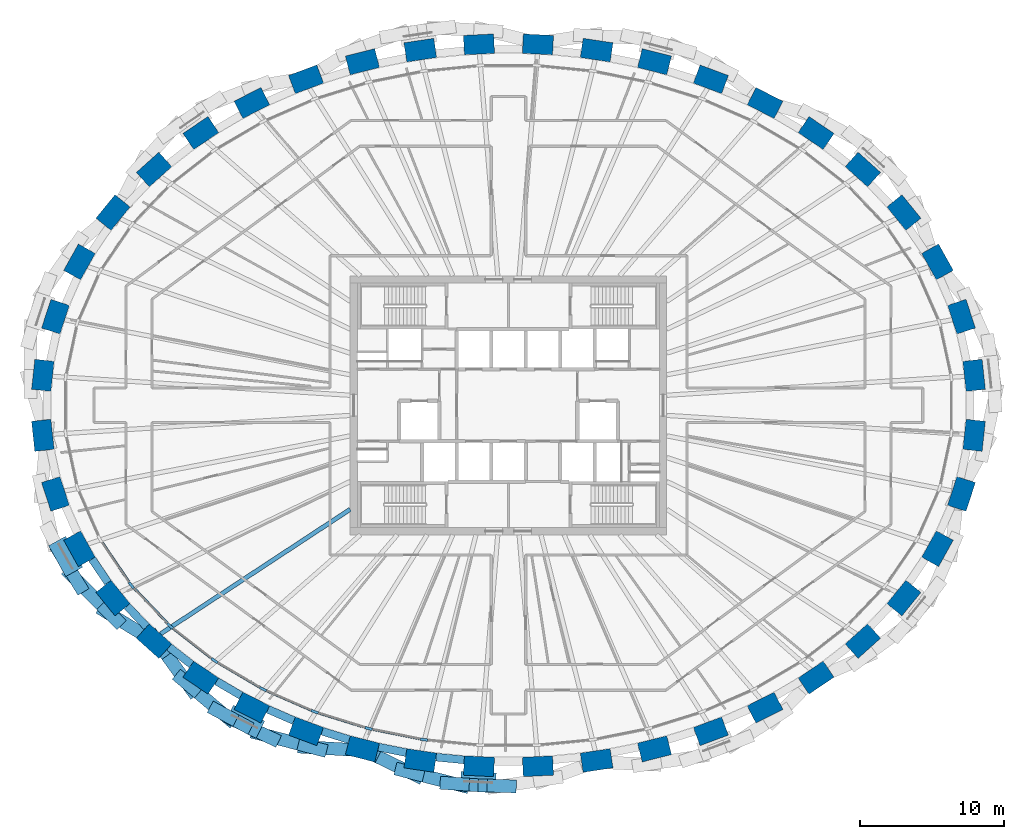
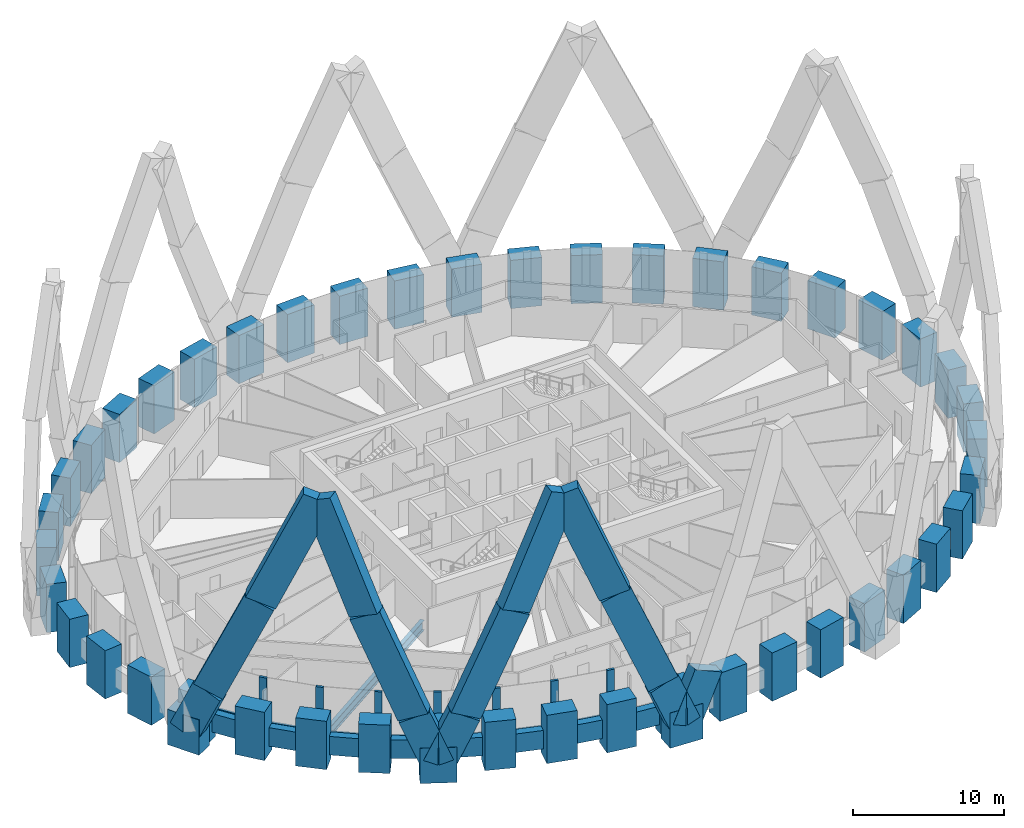
# One storey, part 1 of 15: 44 columns, 30 members, 9 beams, 1 element without a shape of its own.
"""IFC4 building model written with IfcOpenShell, lengths in metres."""

from ifc_helpers import new_model, si_unit, direction, frame, origin, origin_2d, place, context, subcontext, project, spatial, rectangle, i_section, extrude, source, transform, mapped, material, material_profile, profile_set, type_object, element, aggregate, save


model = new_model("IFC4")

# Units and contexts
model_context = context("Model", 3, precision=1e-05, world=origin(), true_north=direction((0.0, 1.0)))
body_context = subcontext(model_context, "Body", "Model", "MODEL_VIEW")
ifc_project = project(units=[si_unit("LENGTHUNIT", "METRE"), si_unit("AREAUNIT", "SQUARE_METRE"), si_unit("VOLUMEUNIT", "CUBIC_METRE"), si_unit("PLANEANGLEUNIT", "RADIAN"), si_unit("MASSUNIT", "GRAM", prefix="KILO")], contexts=[model_context])

# Site, building, storey
site_placement = place(None, origin())
site = spatial("IfcSite", under=ifc_project, at=site_placement, CompositionType="ELEMENT")
building_placement = place(site_placement, origin())
building = spatial("IfcBuilding", under=site, at=building_placement, Name="Embergate Tower", CompositionType="ELEMENT")
storey_placement = place(building_placement, frame((0.0, 0.0, 277.300048828125)))
storey = spatial("IfcBuildingStorey", under=building, at=storey_placement, Name="L64", CompositionType="ELEMENT", Elevation=277.300048828125)

# Columns
ifc_material_1 = material(Name="Concrete C60", Category="concrete")
ifc_material_profile_1 = material_profile(ifc_material_1, rectangle(XDim=1.35009765625, YDim=2.10009765625, at=origin_2d()), Name="RC 1350x2100")
ifc_profile_set_1 = profile_set([ifc_material_profile_1], Name="Concrete C60")
column_type = type_object("IfcColumnType", Name="Ring column RC 1350x2100 C60", PredefinedType="COLUMN", material=ifc_profile_set_1)
shared_shape_1 = source(origin(), body_context, "Body", "SweptSolid", [
    extrude(rectangle(XDim=1.35009765625, YDim=2.10009765625, at=origin_2d()), origin(), (0.0, 0.0, 1.0), 3.900146484375),
])
for number, where, z_axis, x_axis, name in (
    (1, (32.360107421875, 2.0849609375, -1.400146484375), (0.0, 0.0, 1.0), (0.99428589498, 0.106749983816, 0.0), "COL-L64-00"),
    (2, (31.48388671875, 6.158935546875, -1.400146484375), (0.0, 0.0, 1.0), (0.950754033697, 0.309946394413, 0.0), "COL-L64-01"),
    (3, (29.81396484375, 9.966064453125, -1.400146484375), (0.0, 0.0, 1.0), (0.873491969053, 0.486838556403, 0.0), "COL-L64-02"),
    (4, (27.48291015625, 13.39501953125, -1.400146484375), (0.0, 0.0, 1.0), (0.775914301615, 0.630838328377, 0.0), "COL-L64-03"),
    (5, (24.6298828125, 16.386962890625, -1.400146484375), (0.0, 0.0, 1.0), (0.669208424634, 0.74307475021, 0.0), "COL-L64-04"),
    (6, (21.37890625, 18.924072265625, -1.400146484375), (0.0, 0.0, 1.0), (0.560393279442, 0.828226643109, 0.0), "COL-L64-05"),
    (7, (17.8310546875, 21.010009765625, -1.400146484375), (0.0, 0.0, 1.0), (0.452994952881, 0.891513080478, 0.0), "COL-L64-06"),
    (8, (14.06689453125, 22.656005859375, -1.400146484375), (0.0, 0.0, 1.0), (0.348343015724, 0.93736713373, 0.0), "COL-L64-07"),
    (9, (10.14892578125, 23.876953125, -1.400146484375), (0.0, 0.0, 1.0), (0.246491603437, 0.969144926951, 0.0), "COL-L64-08"),
    (10, (6.1279296875, 24.68310546875, -1.400146484375), (0.0, 0.0, 1.0), (0.146929011949, 0.989147039346, 0.0), "COL-L64-09"),
    (11, (2.049072265625, 25.083984375, -1.400146484375), (0.0, 0.0, 1.0), (0.048814904854, 0.998807841912, 0.0), "COL-L64-10"),
    (12, (-2.049072265625, 25.083984375, -1.400146484375), (0.0, 0.0, 1.0), (-0.048814904854, 0.998807841912, 0.0), "COL-L64-11"),
    (13, (-6.1279296875, 24.68310546875, -1.400146484375), (0.0, 0.0, 1.0), (-0.146929011949, 0.989147039346, 0.0), "COL-L64-12"),
    (14, (-10.14892578125, 23.876953125, -1.400146484375), (0.0, 0.0, 1.0), (-0.246491603437, 0.969144926951, 0.0), "COL-L64-13"),
    (15, (-14.06689453125, 22.656005859375, -1.400146484375), (0.0, 0.0, 1.0), (-0.348343015724, 0.93736713373, 0.0), "COL-L64-14"),
    (16, (-17.8310546875, 21.010009765625, -1.400146484375), (0.0, 0.0, 1.0), (-0.452994952881, 0.891513080478, 0.0), "COL-L64-15"),
    (17, (-21.37890625, 18.924072265625, -1.400146484375), (0.0, 0.0, 1.0), (-0.560393279442, 0.828226643109, 0.0), "COL-L64-16"),
    (18, (-24.6298828125, 16.386962890625, -1.400146484375), (0.0, 0.0, 1.0), (-0.669208424634, 0.74307475021, 0.0), "COL-L64-17"),
    (19, (-27.48291015625, 13.39501953125, -1.400146484375), (0.0, 0.0, 1.0), (-0.775914301615, 0.630838328377, 0.0), "COL-L64-18"),
    (20, (-29.81396484375, 9.966064453125, -1.400146484375), (0.0, 0.0, 1.0), (-0.873491969053, 0.486838556403, 0.0), "COL-L64-19"),
    (21, (-31.48388671875, 6.158935546875, -1.400146484375), (0.0, 0.0, 1.0), (-0.950754033697, 0.309946394413, 0.0), "COL-L64-20"),
    (22, (-32.360107421875, 2.0849609375, -1.400146484375), (0.0, 0.0, 1.0), (-0.99428589498, 0.106749983816, 0.0), "COL-L64-21"),
    (23, (-32.360107421875, -2.0849609375, -1.400146484375), (0.0, 0.0, 1.0), (-0.99428589498, -0.106749983816, 0.0), "COL-L64-22"),
    (24, (-31.48388671875, -6.158935546875, -1.400146484375), (0.0, 0.0, 1.0), (-0.950754033697, -0.309946394413, 0.0), "COL-L64-23"),
    (25, (-29.81396484375, -9.966064453125, -1.400146484375), (0.0, 0.0, 1.0), (-0.873491969053, -0.486838556403, 0.0), "COL-L64-24"),
    (26, (-27.48291015625, -13.39501953125, -1.400146484375), (0.0, 0.0, 1.0), (-0.775914301615, -0.630838328377, 0.0), "COL-L64-25"),
    (27, (-24.6298828125, -16.386962890625, -1.400146484375), (0.0, 0.0, 1.0), (-0.669208424634, -0.74307475021, 0.0), "COL-L64-26"),
    (28, (-21.37890625, -18.924072265625, -1.400146484375), (0.0, 0.0, 1.0), (-0.560393279442, -0.828226643109, 0.0), "COL-L64-27"),
    (29, (-17.8310546875, -21.010009765625, -1.400146484375), (0.0, 0.0, 1.0), (-0.452994952881, -0.891513080478, 0.0), "COL-L64-28"),
    (30, (-14.06689453125, -22.656005859375, -1.400146484375), (0.0, 0.0, 1.0), (-0.348343015724, -0.93736713373, 0.0), "COL-L64-29"),
    (31, (-10.14892578125, -23.876953125, -1.400146484375), (0.0, 0.0, 1.0), (-0.246491603437, -0.969144926951, 0.0), "COL-L64-30"),
    (32, (-6.1279296875, -24.68310546875, -1.400146484375), (0.0, 0.0, 1.0), (-0.146929011949, -0.989147039346, 0.0), "COL-L64-31"),
    (33, (-2.049072265625, -25.083984375, -1.400146484375), (0.0, 0.0, 1.0), (-0.048814904854, -0.998807841912, 0.0), "COL-L64-32"),
    (34, (2.049072265625, -25.083984375, -1.400146484375), (0.0, 0.0, 1.0), (0.048814904854, -0.998807841912, 0.0), "COL-L64-33"),
    (35, (6.1279296875, -24.68310546875, -1.400146484375), (0.0, 0.0, 1.0), (0.146929011949, -0.989147039346, 0.0), "COL-L64-34"),
    (36, (10.14892578125, -23.876953125, -1.400146484375), (0.0, 0.0, 1.0), (0.246491603437, -0.969144926951, 0.0), "COL-L64-35"),
    (37, (14.06689453125, -22.656005859375, -1.400146484375), (0.0, 0.0, 1.0), (0.348343015724, -0.93736713373, 0.0), "COL-L64-36"),
    (38, (17.8310546875, -21.010009765625, -1.400146484375), (0.0, 0.0, 1.0), (0.452994952881, -0.891513080478, 0.0), "COL-L64-37"),
    (39, (21.37890625, -18.924072265625, -1.400146484375), (0.0, 0.0, 1.0), (0.560393279442, -0.828226643109, 0.0), "COL-L64-38"),
    (40, (24.6298828125, -16.386962890625, -1.400146484375), (0.0, 0.0, 1.0), (0.669208424634, -0.74307475021, 0.0), "COL-L64-39"),
    (41, (27.48291015625, -13.39501953125, -1.400146484375), (0.0, 0.0, 1.0), (0.775914301615, -0.630838328377, 0.0), "COL-L64-40"),
    (42, (29.81396484375, -9.966064453125, -1.400146484375), (0.0, 0.0, 1.0), (0.873491969053, -0.486838556403, 0.0), "COL-L64-41"),
    (43, (31.48388671875, -6.158935546875, -1.400146484375), (0.0, 0.0, 1.0), (0.950754033697, -0.309946394413, 0.0), "COL-L64-42"),
    (44, (32.360107421875, -2.0849609375, -1.400146484375), (0.0, 0.0, 1.0), (0.99428589498, -0.106749983816, 0.0), "COL-L64-43"),
):
    element("IfcColumn", number, at=place(storey_placement, frame(where, z_axis=z_axis, x_axis=x_axis)), inside=storey, type_object=column_type, Name=name, PredefinedType="COLUMN", context=body_context, shape_type="MappedRepresentation", body=[
        mapped(shared_shape_1, transform((0.0, 0.0, 0.0))),
    ])

# Beams
ifc_material_profile_2 = material_profile(ifc_material_1, rectangle(XDim=0.550048828125, YDim=1.5, at=origin_2d()), Name="RC 550x1500")
ifc_profile_set_2 = profile_set([ifc_material_profile_2], Name="Concrete C60")
beam_type_1 = type_object("IfcBeamType", Name="Spandrel beam RC 550x1500 C60", PredefinedType="BEAM", material=ifc_profile_set_2)
shared_shape_2 = source(origin(), body_context, "Body", "SweptSolid", [
    extrude(rectangle(XDim=0.550048828125, YDim=1.5, at=origin_2d()), origin(), (0.0, 0.0, 1.0), 1.982421875),
])
beam_1_placement = place(storey_placement, frame((-28.943115234375, -10.68310546875, 0.0), z_axis=(0.56257611142, -0.82674549824, 0.0), x_axis=(0.82674549824, 0.56257611142, 0.0)))
element("IfcBeam", 45, at=beam_1_placement, inside=storey, type_object=beam_type_1, Name="SPN-L64-24", PredefinedType="BEAM", context=body_context, shape_type="MappedRepresentation", body=[
    mapped(shared_shape_2, transform((0.0, 0.0, 0.0))),
])
shared_shape_3 = source(origin(), body_context, "Body", "SweptSolid", [
    extrude(rectangle(XDim=0.550048828125, YDim=1.5, at=origin_2d()), origin(), (0.0, 0.0, 1.0), 1.97900390625),
])
beam_2_placement = place(storey_placement, frame((-26.509033203125, -13.9560546875, 0.0), z_axis=(0.690255649164, -0.723565573253, 0.0), x_axis=(0.723565573253, 0.690255649164, 0.0)))
element("IfcBeam", 46, at=beam_2_placement, inside=storey, type_object=beam_type_1, Name="SPN-L64-25", PredefinedType="BEAM", context=body_context, shape_type="MappedRepresentation", body=[
    mapped(shared_shape_3, transform((0.0, 0.0, 0.0))),
])
shared_shape_4 = source(origin(), body_context, "Body", "SweptSolid", [
    extrude(rectangle(XDim=0.550048828125, YDim=1.5, at=origin_2d()), origin(), (0.0, 0.0, 1.0), 1.974853515625),
])
beam_3_placement = place(storey_placement, frame((-23.5869140625, -16.797119140625, 0.0), z_axis=(0.788385979859, -0.61518090572, 0.0), x_axis=(0.61518090572, 0.788385979859, 0.0)))
element("IfcBeam", 47, at=beam_3_placement, inside=storey, type_object=beam_type_1, Name="SPN-L64-26", PredefinedType="BEAM", context=body_context, shape_type="MappedRepresentation", body=[
    mapped(shared_shape_4, transform((0.0, 0.0, 0.0))),
])
shared_shape_5 = source(origin(), body_context, "Body", "SweptSolid", [
    extrude(rectangle(XDim=0.550048828125, YDim=1.5, at=origin_2d()), origin(), (0.0, 0.0, 1.0), 1.969482421875),
])
beam_4_placement = place(storey_placement, frame((-20.281982421875, -19.176025390625, 0.0), z_axis=(0.862106236571, -0.506727576578, 0.0), x_axis=(0.506727576578, 0.862106236571, 0.0)))
element("IfcBeam", 48, at=beam_4_placement, inside=storey, type_object=beam_type_1, Name="SPN-L64-27", PredefinedType="BEAM", context=body_context, shape_type="MappedRepresentation", body=[
    mapped(shared_shape_5, transform((0.0, 0.0, 0.0))),
])
shared_shape_6 = source(origin(), body_context, "Body", "SweptSolid", [
    extrude(rectangle(XDim=0.550048828125, YDim=1.5, at=origin_2d()), origin(), (0.0, 0.0, 1.0), 1.96630859375),
])
beam_5_placement = place(storey_placement, frame((-16.714111328125, -21.12890625, 0.0), z_axis=(0.916393681964, -0.400278177842, 0.0), x_axis=(0.400278177842, 0.916393681964, 0.0)))
element("IfcBeam", 49, at=beam_5_placement, inside=storey, type_object=beam_type_1, Name="SPN-L64-28", PredefinedType="BEAM", context=body_context, shape_type="MappedRepresentation", body=[
    mapped(shared_shape_6, transform((0.0, 0.0, 0.0))),
])
shared_shape_7 = source(origin(), body_context, "Body", "SweptSolid", [
    extrude(rectangle(XDim=0.550048828125, YDim=1.5, at=origin_2d()), origin(), (0.0, 0.0, 1.0), 1.96484375),
])
beam_6_placement = place(storey_placement, frame((-12.945068359375, -22.65087890625, 0.0), z_axis=(0.954771364399, -0.297340951979, 0.0), x_axis=(0.297340951979, 0.954771364399, 0.0)))
element("IfcBeam", 50, at=beam_6_placement, inside=storey, type_object=beam_type_1, Name="SPN-L64-29", PredefinedType="BEAM", context=body_context, shape_type="MappedRepresentation", body=[
    mapped(shared_shape_7, transform((0.0, 0.0, 0.0))),
])
shared_shape_8 = source(origin(), body_context, "Body", "SweptSolid", [
    extrude(rectangle(XDim=0.550048828125, YDim=1.5, at=origin_2d()), origin(), (0.0, 0.0, 1.0), 1.963134765625),
])
beam_7_placement = place(storey_placement, frame((-9.033935546875, -23.7548828125, 0.0), z_axis=(0.980580675691, -0.196116135138, 0.0), x_axis=(0.196116135138, 0.980580675691, 0.0)))
element("IfcBeam", 51, at=beam_7_placement, inside=storey, type_object=beam_type_1, Name="SPN-L64-30", PredefinedType="BEAM", context=body_context, shape_type="MappedRepresentation", body=[
    mapped(shared_shape_8, transform((0.0, 0.0, 0.0))),
])
shared_shape_9 = source(origin(), body_context, "Body", "SweptSolid", [
    extrude(rectangle(XDim=0.550048828125, YDim=1.5, at=origin_2d()), origin(), (0.0, 0.0, 1.0), 1.96240234375),
])
beam_8_placement = place(storey_placement, frame((-5.031982421875, -24.449951171875, 0.0), z_axis=(0.99519482752, -0.097914530474, 0.0), x_axis=(0.097914530474, 0.99519482752, 0.0)))
element("IfcBeam", 52, at=beam_8_placement, inside=storey, type_object=beam_type_1, Name="SPN-L64-31", PredefinedType="BEAM", context=body_context, shape_type="MappedRepresentation", body=[
    mapped(shared_shape_9, transform((0.0, 0.0, 0.0))),
])
ifc_material_2 = material(Name="Steel Q355B", Category="steel")
ifc_material_profile_3 = material_profile(ifc_material_2, i_section(OverallWidth=0.300048828125, OverallDepth=0.800048828125, WebThickness=0.013916015625, FlangeThickness=0.02587890625, FilletRadius=0.028076171875, at=origin_2d()), Name="HN 800x300x14x26")
ifc_profile_set_3 = profile_set([ifc_material_profile_3], Name="Steel Q355 grade B")
beam_type_2 = type_object("IfcBeamType", Name="Radial girder HN 800x300x14x26", PredefinedType="BEAM", material=ifc_profile_set_3)
shared_shape_10 = source(origin(), body_context, "Body", "SweptSolid", [
    extrude(i_section(OverallWidth=0.300048828125, OverallDepth=0.800048828125, WebThickness=0.013916015625, FlangeThickness=0.02587890625, FilletRadius=0.028076171875, at=origin_2d()), origin(), (0.0, 0.0, 1.0), 15.767578125),
])
beam_9_placement = place(storey_placement, frame((-24.177978515625, -15.885009765625, -0.60009765625), z_axis=(0.835759482959, 0.549095698986, 0.0), x_axis=(-0.549095698986, 0.835759482959, 0.0)))
element("IfcBeam", 53, at=beam_9_placement, inside=storey, type_object=beam_type_2, Name="GIR-L64-26", PredefinedType="BEAM", context=body_context, shape_type="MappedRepresentation", body=[
    mapped(shared_shape_10, transform((0.0, 0.0, 0.0))),
])

# Members
ifc_material_3 = material(Name="Concrete C70", Category="concrete")
ifc_material_profile_4 = material_profile(ifc_material_3, rectangle(XDim=1.35009765625, YDim=2.449951171875, at=origin_2d()), Name="RC 1350x2450")
ifc_profile_set_4 = profile_set([ifc_material_profile_4], Name="Concrete C70")
member_type_1 = type_object("IfcMemberType", Name="Lattice node block RC 1350x2450", PredefinedType="POST", material=ifc_profile_set_4)
shared_shape_11 = source(origin(), body_context, "Body", "SweptSolid", [
    extrude(rectangle(XDim=1.35009765625, YDim=2.449951171875, at=origin_2d()), origin(), (0.0, 0.0, 1.0), 2.85009765625),
])
for number, where, z_axis, x_axis, name in (
    (54, (-30.77490234375, -10.501953125, -1.425048828125), (0.0, 0.0, 1.0), (-0.873491969053, -0.486838556403, 0.0), "NOD-L64-24"),
    (55, (-18.330078125, -21.990966796875, -1.425048828125), (0.0, 0.0, 1.0), (-0.452994952881, -0.891513080478, 0.0), "NOD-L64-28"),
    (56, (-2.10302734375, -26.18310546875, -1.425048828125), (0.0, 0.0, 1.0), (-0.048814904854, -0.998807841912, 0.0), "NOD-L64-32"),
):
    element("IfcMember", number, at=place(storey_placement, frame(where, z_axis=z_axis, x_axis=x_axis)), inside=storey, type_object=member_type_1, Name=name, PredefinedType="POST", context=body_context, shape_type="MappedRepresentation", body=[
        mapped(shared_shape_11, transform((0.0, 0.0, 0.0))),
    ])
ifc_material_profile_5 = material_profile(ifc_material_3, rectangle(XDim=0.89990234375, YDim=2.199951171875, at=origin_2d()), Name="RC 900x2200")
ifc_profile_set_5 = profile_set([ifc_material_profile_5], Name="Concrete C70")
member_type_2 = type_object("IfcMemberType", Name="Lattice diagonal terracotta-faced RC 900x2200", PredefinedType="BRACE", material=ifc_profile_set_5)
shared_shape_12 = source(origin(), body_context, "Body", "SweptSolid", [
    extrude(rectangle(XDim=0.89990234375, YDim=2.199951171875, at=origin_2d()), origin(), (0.0, 0.0, 1.0), 4.277587890625),
])
member_1_placement = place(storey_placement, frame((-30.970947265625, -10.611083984375, 0.0), z_axis=(0.213397426039, -0.351115529552, 0.911690420849), x_axis=(0.854549744846, 0.519369553963, 0.0)))
element("IfcMember", 57, at=member_1_placement, inside=storey, type_object=member_type_2, Name="BRC-L64-24-26-S00", PredefinedType="BRACE", context=body_context, shape_type="MappedRepresentation", body=[
    mapped(shared_shape_12, transform((0.0, 0.0, 0.0))),
])
shared_shape_13 = source(origin(), body_context, "Body", "SweptSolid", [
    extrude(rectangle(XDim=0.89990234375, YDim=2.199951171875, at=origin_2d()), origin(), (0.0, 0.0, 1.0), 8.5439453125),
])
member_2_placement = place(storey_placement, frame((-30.05810546875, -12.113037109375, 3.89990234375), z_axis=(0.288635578825, -0.288492704071, 0.912941105622), x_axis=(0.706931707095, 0.707281811942, 0.0)))
element("IfcMember", 58, at=member_2_placement, inside=storey, type_object=member_type_2, Name="BRC-L64-24-26-S01", PredefinedType="BRACE", context=body_context, shape_type="MappedRepresentation", body=[
    mapped(shared_shape_13, transform((0.0, 0.0, 0.0))),
])
shared_shape_14 = source(origin(), body_context, "Body", "SweptSolid", [
    extrude(rectangle(XDim=0.89990234375, YDim=2.199951171875, at=origin_2d()), origin(), (0.0, 0.0, 1.0), 9.232666015625),
])
member_3_placement = place(storey_placement, frame((-27.592041015625, -14.577880859375, 11.699951171875), z_axis=(0.354602950288, -0.215670519205, 0.909803811155), x_axis=(0.519639686879, 0.854385507731, 0.0)))
element("IfcMember", 59, at=member_3_placement, inside=storey, type_object=member_type_2, Name="BRC-L64-24-26-S02", PredefinedType="BRACE", context=body_context, shape_type="MappedRepresentation", body=[
    mapped(shared_shape_14, transform((0.0, 0.0, 0.0))),
])
shared_shape_15 = source(origin(), body_context, "Body", "SweptSolid", [
    extrude(rectangle(XDim=0.89990234375, YDim=2.199951171875, at=origin_2d()), origin(), (0.0, 0.0, 1.0), 4.212890625),
])
member_4_placement = place(storey_placement, frame((-18.431884765625, -22.19091796875, 0.0), z_axis=(-0.333036664376, 0.179412130313, 0.925687780884), x_axis=(-0.474273381263, -0.880377623424, 0.0)))
element("IfcMember", 60, at=member_4_placement, inside=storey, type_object=member_type_2, Name="BRC-L64-28-26-S00", PredefinedType="BRACE", context=body_context, shape_type="MappedRepresentation", body=[
    mapped(shared_shape_15, transform((0.0, 0.0, 0.0))),
])
shared_shape_16 = source(origin(), body_context, "Body", "SweptSolid", [
    extrude(rectangle(XDim=0.89990234375, YDim=2.199951171875, at=origin_2d()), origin(), (0.0, 0.0, 1.0), 8.44580078125),
])
member_5_placement = place(storey_placement, frame((-19.8349609375, -21.43505859375, 3.89990234375), z_axis=(-0.293057204506, 0.247355543397, 0.923543561527), x_axis=(-0.645005774596, -0.764177695787, 0.0)))
element("IfcMember", 61, at=member_5_placement, inside=storey, type_object=member_type_2, Name="BRC-L64-28-26-S01", PredefinedType="BRACE", context=body_context, shape_type="MappedRepresentation", body=[
    mapped(shared_shape_16, transform((0.0, 0.0, 0.0))),
])
shared_shape_17 = source(origin(), body_context, "Body", "SweptSolid", [
    extrude(rectangle(XDim=0.89990234375, YDim=2.199951171875, at=origin_2d()), origin(), (0.0, 0.0, 1.0), 9.072021484375),
])
member_6_placement = place(storey_placement, frame((-22.31005859375, -19.345947265625, 11.699951171875), z_axis=(-0.22134610278, 0.306090039273, 0.925912949819), x_axis=(-0.810325897102, -0.585979471045, 0.0)))
element("IfcMember", 62, at=member_6_placement, inside=storey, type_object=member_type_2, Name="BRC-L64-28-26-S02", PredefinedType="BRACE", context=body_context, shape_type="MappedRepresentation", body=[
    mapped(shared_shape_17, transform((0.0, 0.0, 0.0))),
])
shared_shape_18 = source(origin(), body_context, "Body", "SweptSolid", [
    extrude(rectangle(XDim=0.89990234375, YDim=2.199951171875, at=origin_2d()), origin(), (0.0, 0.0, 1.0), 4.263671875),
])
member_7_placement = place(storey_placement, frame((-18.431884765625, -22.19091796875, 0.0), z_axis=(0.364688612687, -0.174299283564, 0.914670419072), x_axis=(0.431219887373, 0.902246866846, 0.0)))
element("IfcMember", 63, at=member_7_placement, inside=storey, type_object=member_type_2, Name="BRC-L64-28-30-S00", PredefinedType="BRACE", context=body_context, shape_type="MappedRepresentation", body=[
    mapped(shared_shape_18, transform((0.0, 0.0, 0.0))),
])
shared_shape_19 = source(origin(), body_context, "Body", "SweptSolid", [
    extrude(rectangle(XDim=0.89990234375, YDim=2.199951171875, at=origin_2d()), origin(), (0.0, 0.0, 1.0), 8.494384765625),
])
member_8_placement = place(storey_placement, frame((-16.876953125, -22.93408203125, 3.89990234375), z_axis=(0.383293405649, -0.099473491073, 0.918254425396), x_axis=(0.251201443184, 0.967934829905, 0.0)))
element("IfcMember", 64, at=member_8_placement, inside=storey, type_object=member_type_2, Name="BRC-L64-28-30-S01", PredefinedType="BRACE", context=body_context, shape_type="MappedRepresentation", body=[
    mapped(shared_shape_19, transform((0.0, 0.0, 0.0))),
])
shared_shape_20 = source(origin(), body_context, "Body", "SweptSolid", [
    extrude(rectangle(XDim=0.89990234375, YDim=2.199951171875, at=origin_2d()), origin(), (0.0, 0.0, 1.0), 9.15673828125),
])
member_9_placement = place(storey_placement, frame((-13.62109375, -23.779052734375, 11.699951171875), z_axis=(0.397424654113, -0.023462612077, 0.917334808092), x_axis=(0.058934016816, 0.998261880301, 0.0)))
element("IfcMember", 65, at=member_9_placement, inside=storey, type_object=member_type_2, Name="BRC-L64-28-30-S02", PredefinedType="BRACE", context=body_context, shape_type="MappedRepresentation", body=[
    mapped(shared_shape_20, transform((0.0, 0.0, 0.0))),
])
shared_shape_21 = source(origin(), body_context, "Body", "SweptSolid", [
    extrude(rectangle(XDim=0.89990234375, YDim=2.199951171875, at=origin_2d()), origin(), (0.0, 0.0, 1.0), 4.226318359375),
])
member_10_placement = place(storey_placement, frame((-2.114013671875, -26.406982421875, 0.0), z_axis=(-0.384493617047, 0.025994911008, 0.922761574326), x_axis=(-0.067454186846, -0.997722372545, 0.0)))
element("IfcMember", 66, at=member_10_placement, inside=storey, type_object=member_type_2, Name="BRC-L64-32-30-S00", PredefinedType="BRACE", context=body_context, shape_type="MappedRepresentation", body=[
    mapped(shared_shape_21, transform((0.0, 0.0, 0.0))),
])
shared_shape_22 = source(origin(), body_context, "Body", "SweptSolid", [
    extrude(rectangle(XDim=0.89990234375, YDim=2.199951171875, at=origin_2d()), origin(), (0.0, 0.0, 1.0), 8.446044921875),
])
member_11_placement = place(storey_placement, frame((-3.739013671875, -26.297119140625, 3.89990234375), z_axis=(-0.371640467527, 0.094955194511, 0.923507917634), x_axis=(-0.247550322575, -0.968875037243, 0.0)))
element("IfcMember", 67, at=member_11_placement, inside=storey, type_object=member_type_2, Name="BRC-L64-32-30-S01", PredefinedType="BRACE", context=body_context, shape_type="MappedRepresentation", body=[
    mapped(shared_shape_22, transform((0.0, 0.0, 0.0))),
])
shared_shape_23 = source(origin(), body_context, "Body", "SweptSolid", [
    extrude(rectangle(XDim=0.89990234375, YDim=2.199951171875, at=origin_2d()), origin(), (0.0, 0.0, 1.0), 9.080078125),
])
member_12_placement = place(storey_placement, frame((-6.8779296875, -25.4951171875, 11.699951171875), z_axis=(-0.34184969011, 0.165332212088, 0.92509677819), x_axis=(-0.435392500021, -0.90024072943, 0.0)))
element("IfcMember", 68, at=member_12_placement, inside=storey, type_object=member_type_2, Name="BRC-L64-32-30-S02", PredefinedType="BRACE", context=body_context, shape_type="MappedRepresentation", body=[
    mapped(shared_shape_23, transform((0.0, 0.0, 0.0))),
])
shared_shape_24 = source(origin(), body_context, "Body", "SweptSolid", [
    extrude(rectangle(XDim=0.89990234375, YDim=2.199951171875, at=origin_2d()), origin(), (0.0, 0.0, 1.0), 4.2333984375),
])
member_13_placement = place(storey_placement, frame((-2.114013671875, -26.406982421875, 0.0), z_axis=(0.388819727875, -0.011591926031, 0.921240927481), x_axis=(0.029799871392, 0.999555885214, 0.0)))
element("IfcMember", 69, at=member_13_placement, inside=storey, type_object=member_type_2, Name="BRC-L64-32-34-S00", PredefinedType="BRACE", context=body_context, shape_type="MappedRepresentation", body=[
    mapped(shared_shape_24, transform((0.0, 0.0, 0.0))),
])

# Curtain wall, members
ifc_material_4 = material(Name="Aluminium and glass", Category="aluminium")
curtain_wall_type = type_object("IfcCurtainWallType", Name="Recessed office glazing", PredefinedType="NOTDEFINED", material=ifc_material_4)
curtain_wall_placement = place(storey_placement, origin())
curtain_wall = element("IfcCurtainWall", 70, at=curtain_wall_placement, inside=storey, type_object=curtain_wall_type, Name="Recessed office glazing ring", ObjectType="RECESSED OFFICE GLAZING", PredefinedType="USERDEFINED")
ifc_material_5 = material(Name="Aluminium, thermally broken", Category="aluminium")
ifc_material_profile_6 = material_profile(ifc_material_5, rectangle(XDim=0.179931640625, YDim=0.52001953125, at=origin_2d()), Name="AL 520x180")
ifc_profile_set_6 = profile_set([ifc_material_profile_6], Name="Aluminium, thermally broken")
member_type_3 = type_object("IfcMemberType", Name="Office mullion", PredefinedType="MULLION", material=ifc_profile_set_6)
shared_shape_25 = source(origin(), body_context, "Body", "SweptSolid", [
    extrude(rectangle(XDim=0.179931640625, YDim=0.52001953125, at=origin_2d()), origin(), (0.0, 0.0, 1.0), 3.699951171875),
])
member_14_placement = place(storey_placement, frame((-26.212158203125, -12.509521484375, 0.0), z_axis=(0.0, 0.0, 1.0), x_axis=(0.777861596203, 0.628435626897, 0.0)))
member_14 = element("IfcMember", 71, at=member_14_placement, type_object=member_type_3, Name="CW mullion 26", PredefinedType="MULLION", context=body_context, shape_type="MappedRepresentation", body=[
    mapped(shared_shape_25, transform((0.0, 0.0, 0.0))),
])
member_15_placement = place(storey_placement, frame((-23.5185546875, -15.333740234375, 0.0), z_axis=(0.0, 0.0, 1.0), x_axis=(0.671216184057, 0.741261650337, 0.0)))
member_15 = element("IfcMember", 72, at=member_15_placement, type_object=member_type_3, Name="CW mullion 27", PredefinedType="MULLION", context=body_context, shape_type="MappedRepresentation", body=[
    mapped(shared_shape_25, transform((0.0, 0.0, 0.0))),
])
member_16_placement = place(storey_placement, frame((-20.43603515625, -17.73974609375, 0.0), z_axis=(0.0, 0.0, 1.0), x_axis=(0.562207514921, 0.82699619719, 0.0)))
member_16 = element("IfcMember", 73, at=member_16_placement, type_object=member_type_3, Name="CW mullion 28", PredefinedType="MULLION", context=body_context, shape_type="MappedRepresentation", body=[
    mapped(shared_shape_25, transform((0.0, 0.0, 0.0))),
])
member_17_placement = place(storey_placement, frame((-17.06005859375, -19.724365234375, 0.0), z_axis=(0.0, 0.0, 1.0), x_axis=(0.454503607328, 0.89074489666, 0.0)))
member_17 = element("IfcMember", 74, at=member_17_placement, type_object=member_type_3, Name="CW mullion 29", PredefinedType="MULLION", context=body_context, shape_type="MappedRepresentation", body=[
    mapped(shared_shape_25, transform((0.0, 0.0, 0.0))),
])
member_18_placement = place(storey_placement, frame((-13.468017578125, -21.295166015625, 0.0), z_axis=(0.0, 0.0, 1.0), x_axis=(0.349497777064, 0.936937193107, 0.0)))
member_18 = element("IfcMember", 75, at=member_18_placement, type_object=member_type_3, Name="CW mullion 30", PredefinedType="MULLION", context=body_context, shape_type="MappedRepresentation", body=[
    mapped(shared_shape_25, transform((0.0, 0.0, 0.0))),
])
member_19_placement = place(storey_placement, frame((-9.7216796875, -22.4619140625, 0.0), z_axis=(0.0, 0.0, 1.0), x_axis=(0.247308499144, 0.96893679167, 0.0)))
member_19 = element("IfcMember", 76, at=member_19_placement, type_object=member_type_3, Name="CW mullion 31", PredefinedType="MULLION", context=body_context, shape_type="MappedRepresentation", body=[
    mapped(shared_shape_25, transform((0.0, 0.0, 0.0))),
])
member_20_placement = place(storey_placement, frame((-5.872314453125, -23.23388671875, 0.0), z_axis=(0.0, 0.0, 1.0), x_axis=(0.147408930294, 0.989075632735, 0.0)))
member_20 = element("IfcMember", 77, at=member_20_placement, type_object=member_type_3, Name="CW mullion 32", PredefinedType="MULLION", context=body_context, shape_type="MappedRepresentation", body=[
    mapped(shared_shape_25, transform((0.0, 0.0, 0.0))),
])
ifc_material_profile_7 = material_profile(ifc_material_5, rectangle(XDim=0.179931640625, YDim=0.14990234375, at=origin_2d()), Name="AL 150x180")
ifc_profile_set_7 = profile_set([ifc_material_profile_7], Name="Aluminium, thermally broken")
member_type_4 = type_object("IfcMemberType", Name="Office sill transom", PredefinedType="USERDEFINED", material=ifc_profile_set_7)
shared_shape_26 = source(origin(), body_context, "Body", "SweptSolid", [
    extrude(rectangle(XDim=0.179931640625, YDim=0.14990234375, at=origin_2d()), origin(), (0.0, 0.0, 1.0), 3.37451171875),
])
member_21_placement = place(storey_placement, frame((-28.256103515625, -9.504150390625, 0.074951171875), z_axis=(0.562373345437, -0.826883438183, 0.0), x_axis=(0.826883438183, 0.562373345437, 0.0)))
member_21 = element("IfcMember", 78, at=member_21_placement, type_object=member_type_4, Name="CW transom 25.1", ObjectType="TRANSOM", PredefinedType="USERDEFINED", context=body_context, shape_type="MappedRepresentation", body=[
    mapped(shared_shape_26, transform((0.0, 0.0, 0.0))),
])
shared_shape_27 = source(origin(), body_context, "Body", "SweptSolid", [
    extrude(rectangle(XDim=0.179931640625, YDim=0.14990234375, at=origin_2d()), origin(), (0.0, 0.0, 1.0), 3.383056640625),
])
member_22_placement = place(storey_placement, frame((-26.03271484375, -12.697509765625, 0.074951171875), z_axis=(0.690128955737, -0.723686413064, 0.0), x_axis=(0.723686413064, 0.690128955737, 0.0)))
member_22 = element("IfcMember", 79, at=member_22_placement, type_object=member_type_4, Name="CW transom 26.1", ObjectType="TRANSOM", PredefinedType="USERDEFINED", context=body_context, shape_type="MappedRepresentation", body=[
    mapped(shared_shape_27, transform((0.0, 0.0, 0.0))),
])
shared_shape_28 = source(origin(), body_context, "Body", "SweptSolid", [
    extrude(rectangle(XDim=0.179931640625, YDim=0.14990234375, at=origin_2d()), origin(), (0.0, 0.0, 1.0), 3.39013671875),
])
member_23_placement = place(storey_placement, frame((-23.313720703125, -15.493896484375, 0.074951171875), z_axis=(0.788350711598, -0.61522610114, 0.0), x_axis=(0.61522610114, 0.788350711598, 0.0)))
member_23 = element("IfcMember", 80, at=member_23_placement, type_object=member_type_4, Name="CW transom 27.1", ObjectType="TRANSOM", PredefinedType="USERDEFINED", context=body_context, shape_type="MappedRepresentation", body=[
    mapped(shared_shape_28, transform((0.0, 0.0, 0.0))),
])
shared_shape_29 = source(origin(), body_context, "Body", "SweptSolid", [
    extrude(rectangle(XDim=0.179931640625, YDim=0.14990234375, at=origin_2d()), origin(), (0.0, 0.0, 1.0), 3.396240234375),
])
member_24_placement = place(storey_placement, frame((-20.2119140625, -17.87158203125, 0.074951171875), z_axis=(0.86206354594, -0.50680020004, 0.0), x_axis=(0.50680020004, 0.86206354594, 0.0)))
member_24 = element("IfcMember", 81, at=member_24_placement, type_object=member_type_4, Name="CW transom 28.1", ObjectType="TRANSOM", PredefinedType="USERDEFINED", context=body_context, shape_type="MappedRepresentation", body=[
    mapped(shared_shape_29, transform((0.0, 0.0, 0.0))),
])
shared_shape_30 = source(origin(), body_context, "Body", "SweptSolid", [
    extrude(rectangle(XDim=0.179931640625, YDim=0.14990234375, at=origin_2d()), origin(), (0.0, 0.0, 1.0), 3.400634765625),
])
member_25_placement = place(storey_placement, frame((-16.822021484375, -19.82861328125, 0.074951171875), z_axis=(0.916246290904, -0.400615444542, 0.0), x_axis=(0.400615444542, 0.916246290904, 0.0)))
member_25 = element("IfcMember", 82, at=member_25_placement, type_object=member_type_4, Name="CW transom 29.1", ObjectType="TRANSOM", PredefinedType="USERDEFINED", context=body_context, shape_type="MappedRepresentation", body=[
    mapped(shared_shape_30, transform((0.0, 0.0, 0.0))),
])
shared_shape_31 = source(origin(), body_context, "Body", "SweptSolid", [
    extrude(rectangle(XDim=0.179931640625, YDim=0.14990234375, at=origin_2d()), origin(), (0.0, 0.0, 1.0), 3.40380859375),
])
member_26_placement = place(storey_placement, frame((-13.2197265625, -21.37255859375, 0.074951171875), z_axis=(0.954785768132, -0.297294697183, 0.0), x_axis=(0.297294697183, 0.954785768132, 0.0)))
member_26 = element("IfcMember", 83, at=member_26_placement, type_object=member_type_4, Name="CW transom 30.1", ObjectType="TRANSOM", PredefinedType="USERDEFINED", context=body_context, shape_type="MappedRepresentation", body=[
    mapped(shared_shape_31, transform((0.0, 0.0, 0.0))),
])
shared_shape_32 = source(origin(), body_context, "Body", "SweptSolid", [
    extrude(rectangle(XDim=0.179931640625, YDim=0.14990234375, at=origin_2d()), origin(), (0.0, 0.0, 1.0), 3.406005859375),
])
member_27_placement = place(storey_placement, frame((-9.466796875, -22.512939453125, 0.074951171875), z_axis=(0.980481303877, -0.196612341292, 0.0), x_axis=(0.196612341292, 0.980481303877, 0.0)))
member_27 = element("IfcMember", 84, at=member_27_placement, type_object=member_type_4, Name="CW transom 31.1", ObjectType="TRANSOM", PredefinedType="USERDEFINED", context=body_context, shape_type="MappedRepresentation", body=[
    mapped(shared_shape_32, transform((0.0, 0.0, 0.0))),
])
aggregate(curtain_wall, [member_14, member_15, member_16, member_17, member_18, member_19, member_20, member_21, member_22, member_23, member_24, member_25, member_26, member_27])

save(model, "model.ifc")
